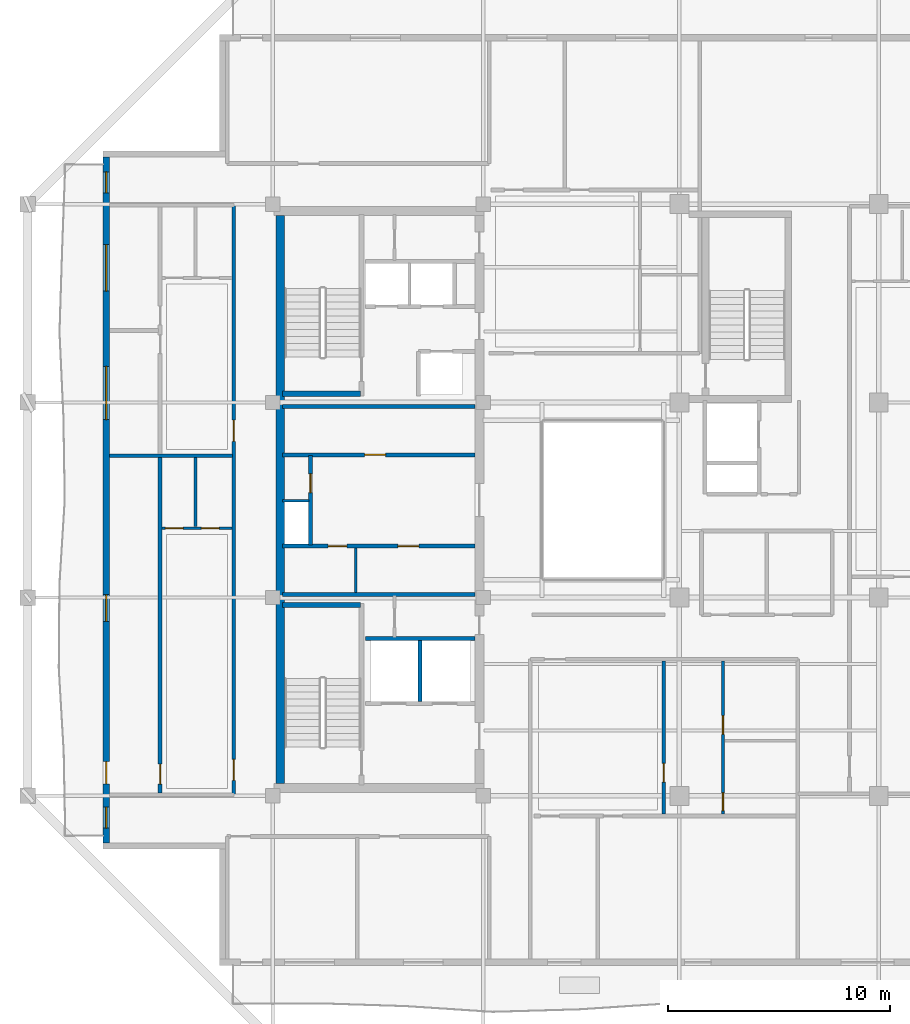
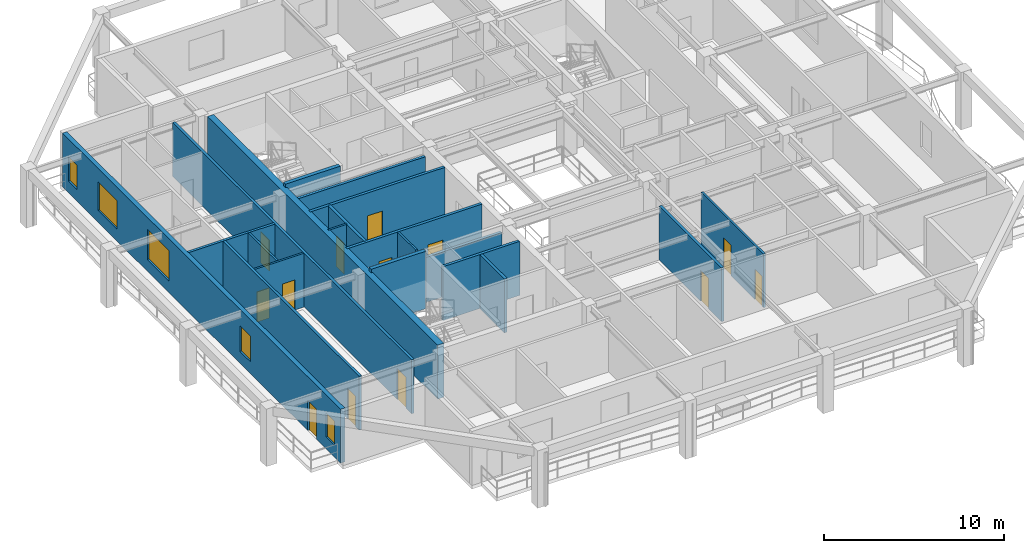
# One storey, part 3 of 11: 20 walls, 13 doors, 5 windows, 18 openings.
"""IFC4 building model written with IfcOpenShell, lengths in metres."""

from ifc_helpers import new_model, si_unit, direction, frame, frame_2d, origin, place, context, subcontext, project, spatial, rectangle, extrude, material, layer, layer_set, type_object, element, fill, save


model = new_model("IFC4")

# Units and contexts
model_context = context("Model", 3, precision=1e-05, world=origin(), true_north=direction((0.0, 1.0)))
body_context = subcontext(model_context, "Body", "Model", "MODEL_VIEW")
ifc_project = project(units=[si_unit("LENGTHUNIT", "METRE"), si_unit("AREAUNIT", "SQUARE_METRE"), si_unit("VOLUMEUNIT", "CUBIC_METRE"), si_unit("PLANEANGLEUNIT", "RADIAN"), si_unit("MASSUNIT", "GRAM", prefix="KILO")], contexts=[model_context])

# Site, building, storey
site_placement = place(None, origin())
site = spatial("IfcSite", under=ifc_project, at=site_placement, CompositionType="ELEMENT")
building_placement = place(site_placement, origin())
building = spatial("IfcBuilding", under=site, at=building_placement, Name="Kundavana Baori Tower", CompositionType="ELEMENT")
storey_placement = place(building_placement, frame((0.0, 0.0, 253.10009765625)))
storey = spatial("IfcBuildingStorey", under=building, at=storey_placement, Name="L62", CompositionType="ELEMENT", Elevation=253.10009765625)

# Walls
ifc_material_1 = material(Name="Concrete C50/60", Category="concrete")
ifc_layer_1 = layer(ifc_material_1, 0.39990234375, Name="WL-CORE-400")
ifc_layer_set_1 = layer_set([ifc_layer_1], Name="Concrete C50/60")
wall_type_1 = type_object("IfcWallType", Name="WL-CORE-400", PredefinedType="SHEAR", material=ifc_layer_set_1)
wall_1_placement = place(storey_placement, frame((15.7900390625, 15.81005859375, 0.0), z_axis=(0.0, 0.0, 1.0), x_axis=(0.0, 1.0, 0.0)))
element("IfcWall", 1, at=wall_1_placement, inside=storey, type_object=wall_type_1, Name="L62 Offset Core West Shear Wall", PredefinedType="SHEAR", context=body_context, shape_type="SweptSolid", body=[
    extrude(rectangle(XDim=25.6298828125, YDim=0.39990234375, at=frame_2d((12.81494140625, 0.0))), origin(), (0.0, 0.0, 1.0), 3.659912109375),
])
for number, where, z_axis, x_axis, name in (
    (2, (15.89990234375, 23.860107421875, 0.0), (0.0, 0.0, 1.0), (1.0, 0.0, 0.0), "WL-L62-ST1-N"),
    (3, (15.89990234375, 33.389892578125, 0.0), (0.0, 0.0, 1.0), (1.0, 0.0, 0.0), "WL-L62-ST2-S"),
):
    element("IfcWall", number, at=place(storey_placement, frame(where, z_axis=z_axis, x_axis=x_axis)), inside=storey, type_object=wall_type_1, Name=name, PredefinedType="SHEAR", context=body_context, shape_type="SweptSolid", body=[
        extrude(rectangle(XDim=3.52001953125, YDim=0.239990234375, at=frame_2d((1.760009765625, 0.0))), origin(), (0.0, 0.0, 1.0), 3.89990234375),
    ])

# Wall, openings, door, windows
ifc_material_2 = material(Name="Red-Buff Dholpur Sandstone Cladding on Concrete C40/50", Category="masonry")
ifc_layer_2 = layer(ifc_material_2, 0.280029296875, Name="WL-EXT-SAND-280")
ifc_layer_set_2 = layer_set([ifc_layer_2], Name="Red-Buff Dholpur Sandstone Cladding on Concrete C40/50")
wall_type_2 = type_object("IfcWallType", Name="WL-EXT-SAND-280", PredefinedType="STANDARD", material=ifc_layer_set_2)
wall_2_placement = place(storey_placement, frame((7.93994140625, 44.070068359375, 0.0), z_axis=(0.0, 0.0, 1.0), x_axis=(0.0, -1.0, 0.0)))
wall_2 = element("IfcWall", 4, at=wall_2_placement, inside=storey, type_object=wall_type_2, Name="L62 Exterior Insulated Facade Wall 10", PredefinedType="STANDARD", context=body_context, shape_type="SweptSolid", body=[
    extrude(rectangle(XDim=30.940185546875, YDim=0.280029296875, at=frame_2d((15.47021484375, 0.0))), origin(), (0.0, 0.0, 1.0), 3.659912109375),
])
opening_1_placement = place(wall_2_placement, frame((29.324951171875, 0.0, 0.800048828125)))
opening_1 = element("IfcOpeningElement", 5, at=opening_1_placement, cuts=wall_2, Name="Opening W-13", PredefinedType="OPENING", context=body_context, shape_type="SweptSolid", body=[
    extrude(rectangle(XDim=0.949951171875, YDim=1.64990234375, at=frame_2d((0.47509765625, 0.824951171875))), frame((0.0, 0.14990234375, 0.0), z_axis=(0.0, -1.0, 0.0), x_axis=(1.0, 0.0, 0.0)), (0.0, 0.0, 1.0), 0.300048828125),
])
opening_2_placement = place(wall_2_placement, frame((27.280029296875, 0.0, 0.0)))
opening_2 = element("IfcOpeningElement", 6, at=opening_2_placement, cuts=wall_2, Name="Opening BD-1", PredefinedType="OPENING", context=body_context, shape_type="SweptSolid", body=[
    extrude(rectangle(XDim=1.0, YDim=2.050048828125, at=frame_2d((0.5, 1.02490234375))), frame((0.0, 0.14990234375, 0.0), z_axis=(0.0, -1.0, 0.0), x_axis=(1.0, 0.0, 0.0)), (0.0, 0.0, 1.0), 0.300048828125),
])
opening_3_placement = place(wall_2_placement, frame((19.7451171875, 0.0, 0.800048828125)))
opening_3 = element("IfcOpeningElement", 7, at=opening_3_placement, cuts=wall_2, Name="Opening W-03", PredefinedType="OPENING", context=body_context, shape_type="SweptSolid", body=[
    extrude(rectangle(XDim=1.199951171875, YDim=1.75, at=frame_2d((0.60009765625, 0.875))), frame((0.0, 0.14990234375, 0.0), z_axis=(0.0, -1.0, 0.0), x_axis=(1.0, 0.0, 0.0)), (0.0, 0.0, 1.0), 0.300048828125),
])
opening_4_placement = place(wall_2_placement, frame((9.445068359375, 0.0, 0.800048828125)))
opening_4 = element("IfcOpeningElement", 8, at=opening_4_placement, cuts=wall_2, Name="Opening W-04", PredefinedType="OPENING", context=body_context, shape_type="SweptSolid", body=[
    extrude(rectangle(XDim=2.39990234375, YDim=2.050048828125, at=frame_2d((1.199951171875, 1.02490234375))), frame((0.0, 0.14990234375, 0.0), z_axis=(0.0, -1.0, 0.0), x_axis=(1.0, 0.0, 0.0)), (0.0, 0.0, 1.0), 0.300048828125),
])
opening_5_placement = place(wall_2_placement, frame((3.945068359375, 0.0, 0.800048828125)))
opening_5 = element("IfcOpeningElement", 9, at=opening_5_placement, cuts=wall_2, Name="Opening W-05", PredefinedType="OPENING", context=body_context, shape_type="SweptSolid", body=[
    extrude(rectangle(XDim=2.10009765625, YDim=1.949951171875, at=frame_2d((1.050048828125, 0.97509765625))), frame((0.0, 0.14990234375, 0.0), z_axis=(0.0, -1.0, 0.0), x_axis=(1.0, 0.0, 0.0)), (0.0, 0.0, 1.0), 0.300048828125),
])
opening_6_placement = place(wall_2_placement, frame((0.6650390625, 0.0, 0.800048828125)))
opening_6 = element("IfcOpeningElement", 10, at=opening_6_placement, cuts=wall_2, Name="Opening W-13", PredefinedType="OPENING", context=body_context, shape_type="SweptSolid", body=[
    extrude(rectangle(XDim=0.949951171875, YDim=1.64990234375, at=frame_2d((0.47509765625, 0.824951171875))), frame((0.0, 0.14990234375, 0.0), z_axis=(0.0, -1.0, 0.0), x_axis=(1.0, 0.0, 0.0)), (0.0, 0.0, 1.0), 0.300048828125),
])
ifc_material_3 = material(Name="Architectural Patinated Bronze Metalwork")
door_type_1 = type_object("IfcDoorType", Name="DR-EXT-LOG-1000", OperationType="NOTDEFINED", PredefinedType="DOOR", material=ifc_material_3)
door_1_placement = place(opening_2_placement, frame((1.0, 0.0, 0.0), z_axis=(0.0, 0.0, 1.0), x_axis=(-1.0, 0.0, 0.0)))
door_1 = element("IfcDoor", 11, at=door_1_placement, inside=storey, type_object=door_type_1, Name="L62 Loggia Balcony Access Door W", OperationType="SINGLE_SWING_LEFT", OverallHeight=2.050048828125, OverallWidth=1.0, PredefinedType="DOOR", context=body_context, shape_type="SweptSolid", body=[
    extrude(rectangle(XDim=1.0, YDim=2.050048828125, at=frame_2d((0.5, 1.02490234375))), frame((0.0, 0.02490234375, 0.0), z_axis=(0.0, -1.0, 0.0), x_axis=(1.0, 0.0, 0.0)), (0.0, 0.0, 1.0), 0.050048828125),
])
fill(opening_2, door_1)
ifc_material_4 = material(Name="Double-Glazed Solar-Control Low-E Insulated Glass", Category="glass")
window_type_1 = type_object("IfcWindowType", Name="WIN-LOG-1200x1750", PartitioningType="SINGLE_PANEL", PredefinedType="WINDOW", material=ifc_material_4)
window_1_placement = place(opening_3_placement, origin())
window_1 = element("IfcWindow", 12, at=window_1_placement, inside=storey, type_object=window_type_1, Name="L62 Recessed Loggia Window W-2", OverallHeight=1.75, OverallWidth=1.199951171875, PartitioningType="SINGLE_PANEL", PredefinedType="WINDOW", context=body_context, shape_type="SweptSolid", body=[
    extrude(rectangle(XDim=1.199951171875, YDim=1.75, at=frame_2d((0.60009765625, 0.875))), frame((0.0, 0.030029296875, 0.0), z_axis=(0.0, -1.0, 0.0), x_axis=(1.0, 0.0, 0.0)), (0.0, 0.0, 1.0), 0.06005859375),
])
fill(opening_3, window_1)
ifc_material_5 = material(Name="Double-Glazed Solar-Control Low-E Insulated Glass", Category="glass")
window_type_2 = type_object("IfcWindowType", Name="WIN-LOG-2100x1950", PartitioningType="SINGLE_PANEL", PredefinedType="WINDOW", material=ifc_material_5)
window_2_placement = place(opening_5_placement, origin())
window_2 = element("IfcWindow", 13, at=window_2_placement, inside=storey, type_object=window_type_2, Name="L62 Recessed Loggia Window W-4", OverallHeight=1.949951171875, OverallWidth=2.10009765625, PartitioningType="SINGLE_PANEL", PredefinedType="WINDOW", context=body_context, shape_type="SweptSolid", body=[
    extrude(rectangle(XDim=2.10009765625, YDim=1.949951171875, at=frame_2d((1.050048828125, 0.97509765625))), frame((0.0, 0.030029296875, 0.0), z_axis=(0.0, -1.0, 0.0), x_axis=(1.0, 0.0, 0.0)), (0.0, 0.0, 1.0), 0.06005859375),
])
fill(opening_5, window_2)
ifc_material_6 = material(Name="Double-Glazed Solar-Control Low-E Insulated Glass", Category="glass")
window_type_3 = type_object("IfcWindowType", Name="WIN-LOG-2400x2050", PartitioningType="SINGLE_PANEL", PredefinedType="WINDOW", material=ifc_material_6)
window_3_placement = place(opening_4_placement, origin())
window_3 = element("IfcWindow", 14, at=window_3_placement, inside=storey, type_object=window_type_3, Name="L62 Recessed Loggia Window W-3", OverallHeight=2.050048828125, OverallWidth=2.39990234375, PartitioningType="SINGLE_PANEL", PredefinedType="WINDOW", context=body_context, shape_type="SweptSolid", body=[
    extrude(rectangle(XDim=2.39990234375, YDim=2.050048828125, at=frame_2d((1.199951171875, 1.02490234375))), frame((0.0, 0.030029296875, 0.0), z_axis=(0.0, -1.0, 0.0), x_axis=(1.0, 0.0, 0.0)), (0.0, 0.0, 1.0), 0.06005859375),
])
fill(opening_4, window_3)
ifc_material_7 = material(Name="Double-Glazed Solar-Control Low-E Insulated Glass", Category="glass")
window_type_4 = type_object("IfcWindowType", Name="WIN-LOG-950x1650", PartitioningType="SINGLE_PANEL", PredefinedType="WINDOW", material=ifc_material_7)
window_4_placement = place(opening_1_placement, origin())
window_4 = element("IfcWindow", 15, at=window_4_placement, inside=storey, type_object=window_type_4, Name="L62 Recessed Loggia Window W-1", OverallHeight=1.64990234375, OverallWidth=0.949951171875, PartitioningType="SINGLE_PANEL", PredefinedType="WINDOW", context=body_context, shape_type="SweptSolid", body=[
    extrude(rectangle(XDim=0.949951171875, YDim=1.64990234375, at=frame_2d((0.47509765625, 0.824951171875))), frame((0.0, 0.030029296875, 0.0), z_axis=(0.0, -1.0, 0.0), x_axis=(1.0, 0.0, 0.0)), (0.0, 0.0, 1.0), 0.06005859375),
])
fill(opening_1, window_4)
window_5_placement = place(opening_6_placement, origin())
window_5 = element("IfcWindow", 16, at=window_5_placement, inside=storey, type_object=window_type_4, Name="L62 Recessed Loggia Window W-5", OverallHeight=1.64990234375, OverallWidth=0.949951171875, PartitioningType="SINGLE_PANEL", PredefinedType="WINDOW", context=body_context, shape_type="SweptSolid", body=[
    extrude(rectangle(XDim=0.949951171875, YDim=1.64990234375, at=frame_2d((0.47509765625, 0.824951171875))), frame((0.0, 0.030029296875, 0.0), z_axis=(0.0, -1.0, 0.0), x_axis=(1.0, 0.0, 0.0)), (0.0, 0.0, 1.0), 0.06005859375),
])
fill(opening_6, window_5)

# Walls
ifc_material_8 = material(Name="Acoustic Gypsum Plasterboard on Galvanised Steel Studs", Category="steel")
ifc_layer_3 = layer(ifc_material_8, 0.1201171875, Name="WL-PART-120")
ifc_layer_set_3 = layer_set([ifc_layer_3], Name="Acoustic Gypsum Plasterboard on Galvanised Steel Studs")
wall_type_3 = type_object("IfcWallType", Name="WL-PART-120", PredefinedType="PARTITIONING", material=ifc_layer_set_3)
wall_3_placement = place(storey_placement, frame((19.199951171875, 24.419921875, 0.0), z_axis=(0.0, 0.0, 1.0), x_axis=(0.0, 1.0, 0.0)))
element("IfcWall", 17, at=wall_3_placement, inside=storey, type_object=wall_type_3, Name="WL-L62-FRLOW-DIV", PredefinedType="PARTITIONING", context=body_context, shape_type="SweptSolid", body=[
    extrude(rectangle(XDim=2.02001953125, YDim=0.1201171875, at=frame_2d((1.010009765625, 0.0))), origin(), (0.0, 0.0, 1.0), 3.659912109375),
])
wall_4_placement = place(storey_placement, frame((15.89990234375, 28.56005859375, 0.0), z_axis=(0.0, 0.0, 1.0), x_axis=(1.0, 0.0, 0.0)))
element("IfcWall", 18, at=wall_4_placement, inside=storey, type_object=wall_type_3, Name="WL-L62-RSRW-N", PredefinedType="PARTITIONING", context=body_context, shape_type="SweptSolid", body=[
    extrude(rectangle(XDim=1.2001953125, YDim=0.1201171875, at=frame_2d((0.60009765625, 0.0))), origin(), (0.0, 0.0, 1.0), 3.659912109375),
])

# Wall, openings, doors
ifc_material_9 = material(Name="Fire-Rated Gypsum Drywall on Galvanised Steel Studs", Category="steel")
ifc_layer_4 = layer(ifc_material_9, 0.1650390625, Name="WL-PART-165")
ifc_layer_set_4 = layer_set([ifc_layer_4], Name="Fire-Rated Gypsum Drywall on Galvanised Steel Studs")
wall_type_4 = type_object("IfcWallType", Name="WL-PART-165", PredefinedType="PARTITIONING", material=ifc_layer_set_4)
wall_5_placement = place(storey_placement, frame((13.699951171875, 15.300048828125, 0.0), z_axis=(0.0, 0.0, 1.0), x_axis=(0.0, 1.0, 0.0)))
wall_5 = element("IfcWall", 19, at=wall_5_placement, inside=storey, type_object=wall_type_4, Name="WL-L62-RW", PredefinedType="PARTITIONING", context=body_context, shape_type="SweptSolid", body=[
    extrude(rectangle(XDim=26.599853515625, YDim=0.1650390625, at=frame_2d((13.2998046875, 0.0))), origin(), (0.0, 0.0, 1.0), 3.659912109375),
])
opening_7_placement = place(wall_5_placement, frame((0.64990234375, 0.0, 0.0)))
opening_7 = element("IfcOpeningElement", 20, at=opening_7_placement, cuts=wall_5, Name="Opening FD-095", PredefinedType="OPENING", context=body_context, shape_type="SweptSolid", body=[
    extrude(rectangle(XDim=0.949951171875, YDim=2.10009765625, at=frame_2d((0.47509765625, 1.050048828125))), frame((0.0, 0.092529296875, 0.0), z_axis=(0.0, -1.0, 0.0), x_axis=(1.0, 0.0, 0.0)), (0.0, 0.0, 1.0), 0.18505859375),
])
opening_8_placement = place(wall_5_placement, frame((15.949951171875, 0.0, 0.0)))
opening_8 = element("IfcOpeningElement", 21, at=opening_8_placement, cuts=wall_5, Name="Opening FD-095", PredefinedType="OPENING", context=body_context, shape_type="SweptSolid", body=[
    extrude(rectangle(XDim=0.949951171875, YDim=2.10009765625, at=frame_2d((0.47509765625, 1.050048828125))), frame((0.0, 0.092529296875, 0.0), z_axis=(0.0, -1.0, 0.0), x_axis=(1.0, 0.0, 0.0)), (0.0, 0.0, 1.0), 0.18505859375),
])
ifc_material_10 = material(Name="Engineered Teak Fire-Rated Timber Door Leaf", Category="wood")
door_type_2 = type_object("IfcDoorType", Name="DR-FD60-950", OperationType="NOTDEFINED", PredefinedType="DOOR", material=ifc_material_10)
door_2_placement = place(opening_7_placement, frame((0.949951171875, 0.0, 0.0), z_axis=(0.0, 0.0, 1.0), x_axis=(-1.0, 0.0, 0.0)))
door_2 = element("IfcDoor", 22, at=door_2_placement, inside=storey, type_object=door_type_2, Name="DR-L62-W1-ENT", OperationType="SINGLE_SWING_LEFT", OverallHeight=2.10009765625, OverallWidth=0.949951171875, PredefinedType="DOOR", context=body_context, shape_type="SweptSolid", body=[
    extrude(rectangle(XDim=0.949951171875, YDim=2.10009765625, at=frame_2d((0.47509765625, 1.050048828125))), frame((0.0, 0.02490234375, 0.0), z_axis=(0.0, -1.0, 0.0), x_axis=(1.0, 0.0, 0.0)), (0.0, 0.0, 1.0), 0.050048828125),
])
fill(opening_7, door_2)
door_3_placement = place(opening_8_placement, frame((0.949951171875, 0.0, 0.0), z_axis=(0.0, 0.0, 1.0), x_axis=(-1.0, 0.0, 0.0)))
door_3 = element("IfcDoor", 23, at=door_3_placement, inside=storey, type_object=door_type_2, Name="DR-L62-W2-ENT", OperationType="SINGLE_SWING_LEFT", OverallHeight=2.10009765625, OverallWidth=0.949951171875, PredefinedType="DOOR", context=body_context, shape_type="SweptSolid", body=[
    extrude(rectangle(XDim=0.949951171875, YDim=2.10009765625, at=frame_2d((0.47509765625, 1.050048828125))), frame((0.0, 0.02490234375, 0.0), z_axis=(0.0, -1.0, 0.0), x_axis=(1.0, 0.0, 0.0)), (0.0, 0.0, 1.0), 0.050048828125),
])
fill(opening_8, door_3)

# Wall, opening, door
wall_6_placement = place(storey_placement, frame((10.3701171875, 15.3798828125, 0.0), z_axis=(0.0, 0.0, 1.0), x_axis=(0.0, 1.0, 0.0)))
wall_6 = element("IfcWall", 24, at=wall_6_placement, inside=storey, type_object=wall_type_4, Name="WL-L62-W1-VT", PredefinedType="PARTITIONING", context=body_context, shape_type="SweptSolid", body=[
    extrude(rectangle(XDim=15.14013671875, YDim=0.1650390625, at=frame_2d((7.570068359375, 0.0))), origin(), (0.0, 0.0, 1.0), 3.659912109375),
])
opening_9_placement = place(wall_6_placement, frame((0.39990234375, 0.0, 0.0)))
opening_9 = element("IfcOpeningElement", 25, at=opening_9_placement, cuts=wall_6, Name="Opening ID-090", PredefinedType="OPENING", context=body_context, shape_type="SweptSolid", body=[
    extrude(rectangle(XDim=0.89990234375, YDim=2.080078125, at=frame_2d((0.449951171875, 1.0400390625))), frame((0.0, 0.092529296875, 0.0), z_axis=(0.0, -1.0, 0.0), x_axis=(1.0, 0.0, 0.0)), (0.0, 0.0, 1.0), 0.18505859375),
])
ifc_material_11 = material(Name="Engineered Teak Solid-Core Timber Veneer", Category="wood")
door_type_3 = type_object("IfcDoorType", Name="DR-INT-900", OperationType="NOTDEFINED", PredefinedType="DOOR", material=ifc_material_11)
door_4_placement = place(opening_9_placement, frame((0.89990234375, 0.0, 0.0), z_axis=(0.0, 0.0, 1.0), x_axis=(-1.0, 0.0, 0.0)))
door_4 = element("IfcDoor", 26, at=door_4_placement, inside=storey, type_object=door_type_3, Name="DR-L62-W1-B1", OperationType="SINGLE_SWING_LEFT", OverallHeight=2.080078125, OverallWidth=0.89990234375, PredefinedType="DOOR", context=body_context, shape_type="SweptSolid", body=[
    extrude(rectangle(XDim=0.89990234375, YDim=2.080078125, at=frame_2d((0.449951171875, 1.0400390625))), frame((0.0, 0.02490234375, 0.0), z_axis=(0.0, -1.0, 0.0), x_axis=(1.0, 0.0, 0.0)), (0.0, 0.0, 1.0), 0.050048828125),
])
fill(opening_9, door_4)

# Wall
wall_7_placement = place(storey_placement, frame((8.080078125, 30.60009765625, 0.0), z_axis=(0.0, 0.0, 1.0), x_axis=(1.0, 0.0, 0.0)))
element("IfcWall", 27, at=wall_7_placement, inside=storey, type_object=wall_type_4, Name="WL-L62-RWD1", PredefinedType="PARTITIONING", context=body_context, shape_type="SweptSolid", body=[
    extrude(rectangle(XDim=5.559814453125, YDim=0.1650390625, at=frame_2d((2.77978515625, 0.0))), origin(), (0.0, 0.0, 1.0), 3.659912109375),
])

# Wall, opening, door
wall_8_placement = place(storey_placement, frame((33.090087890625, 14.4208984375, 0.0), z_axis=(0.0, 0.0, 1.0), x_axis=(0.0, 1.0, 0.0)))
wall_8 = element("IfcWall", 28, at=wall_8_placement, inside=storey, type_object=wall_type_4, Name="WL-L62-S1-STU", PredefinedType="PARTITIONING", context=body_context, shape_type="SweptSolid", body=[
    extrude(rectangle(XDim=6.919189453125, YDim=0.1650390625, at=frame_2d((3.45947265625, 0.0))), origin(), (0.0, 0.0, 1.0), 3.659912109375),
])
opening_10_placement = place(wall_8_placement, frame((1.449951171875, 0.0, 0.0)))
opening_10 = element("IfcOpeningElement", 29, at=opening_10_placement, cuts=wall_8, Name="Opening ID-085", PredefinedType="OPENING", context=body_context, shape_type="SweptSolid", body=[
    extrude(rectangle(XDim=0.85009765625, YDim=2.080078125, at=frame_2d((0.425048828125, 1.0400390625))), frame((0.0, 0.092529296875, 0.0), z_axis=(0.0, -1.0, 0.0), x_axis=(1.0, 0.0, 0.0)), (0.0, 0.0, 1.0), 0.18505859375),
])
ifc_material_12 = material(Name="Engineered Teak Solid-Core Timber Veneer", Category="wood")
door_type_4 = type_object("IfcDoorType", Name="DR-INT-850", OperationType="NOTDEFINED", PredefinedType="DOOR", material=ifc_material_12)
door_5_placement = place(opening_10_placement, origin())
door_5 = element("IfcDoor", 30, at=door_5_placement, inside=storey, type_object=door_type_4, Name="DR-L62-S1-STD", OperationType="SINGLE_SWING_LEFT", OverallHeight=2.080078125, OverallWidth=0.85009765625, PredefinedType="DOOR", context=body_context, shape_type="SweptSolid", body=[
    extrude(rectangle(XDim=0.85009765625, YDim=2.080078125, at=frame_2d((0.425048828125, 1.0400390625))), frame((0.0, 0.02490234375, 0.0), z_axis=(0.0, -1.0, 0.0), x_axis=(1.0, 0.0, 0.0)), (0.0, 0.0, 1.0), 0.050048828125),
])
fill(opening_10, door_5)

# Walls
ifc_material_13 = material(Name="Autoclaved Aerated Concrete Blockwork Masonry", Category="masonry")
ifc_layer_5 = layer(ifc_material_13, 0.179931640625, Name="WL-SHAFT-180")
ifc_layer_set_5 = layer_set([ifc_layer_5], Name="Autoclaved Aerated Concrete Blockwork Masonry")
wall_type_5 = type_object("IfcWallType", Name="WL-SHAFT-180", PredefinedType="SOLIDWALL", material=ifc_layer_set_5)
wall_9_placement = place(storey_placement, frame((22.10009765625, 19.510009765625, 0.0), z_axis=(0.0, 0.0, 1.0), x_axis=(0.0, 1.0, 0.0)))
element("IfcWall", 31, at=wall_9_placement, inside=storey, type_object=wall_type_5, Name="WL-L62-FFL-MID", PredefinedType="SOLIDWALL", context=body_context, shape_type="SweptSolid", body=[
    extrude(rectangle(XDim=2.739990234375, YDim=0.179931640625, at=frame_2d((1.3701171875, 0.0))), origin(), (0.0, 0.0, 1.0), 3.659912109375),
])
wall_10_placement = place(storey_placement, frame((19.639892578125, 22.340087890625, 0.0), z_axis=(0.0, 0.0, 1.0), x_axis=(1.0, 0.0, 0.0)))
element("IfcWall", 32, at=wall_10_placement, inside=storey, type_object=wall_type_5, Name="WL-L62-FFL-N", PredefinedType="SOLIDWALL", context=body_context, shape_type="SweptSolid", body=[
    extrude(rectangle(XDim=4.940185546875, YDim=0.179931640625, at=frame_2d((2.47021484375, 0.0))), origin(), (0.0, 0.0, 1.0), 3.659912109375),
])

# Wall, openings, doors
wall_11_placement = place(storey_placement, frame((15.89990234375, 26.52001953125, 0.0), z_axis=(0.0, 0.0, 1.0), x_axis=(1.0, 0.0, 0.0)))
wall_11 = element("IfcWall", 33, at=wall_11_placement, inside=storey, type_object=wall_type_5, Name="WL-L62-LPLOW-N", PredefinedType="SOLIDWALL", context=body_context, shape_type="SweptSolid", body=[
    extrude(rectangle(XDim=8.68017578125, YDim=0.179931640625, at=frame_2d((4.340087890625, 0.0))), origin(), (0.0, 0.0, 1.0), 3.659912109375),
])
opening_11_placement = place(wall_11_placement, frame((2.050048828125, 0.0, 0.0)))
opening_11 = element("IfcOpeningElement", 34, at=opening_11_placement, cuts=wall_11, Name="Opening FD-085", PredefinedType="OPENING", context=body_context, shape_type="SweptSolid", body=[
    extrude(rectangle(XDim=0.85009765625, YDim=2.06005859375, at=frame_2d((0.425048828125, 1.030029296875))), frame((0.0, 0.10009765625, 0.0), z_axis=(0.0, -1.0, 0.0), x_axis=(1.0, 0.0, 0.0)), (0.0, 0.0, 1.0), 0.199951171875),
])
opening_12_placement = place(wall_11_placement, frame((5.199951171875, 0.0, 0.0)))
opening_12 = element("IfcOpeningElement", 35, at=opening_12_placement, cuts=wall_11, Name="Opening FD-095", PredefinedType="OPENING", context=body_context, shape_type="SweptSolid", body=[
    extrude(rectangle(XDim=0.949951171875, YDim=2.10009765625, at=frame_2d((0.47509765625, 1.050048828125))), frame((0.0, 0.10009765625, 0.0), z_axis=(0.0, -1.0, 0.0), x_axis=(1.0, 0.0, 0.0)), (0.0, 0.0, 1.0), 0.199951171875),
])
ifc_material_14 = material(Name="Galvanised Steel Fire-Rated Door Leaf", Category="steel")
door_type_5 = type_object("IfcDoorType", Name="DR-FD60-850", OperationType="NOTDEFINED", PredefinedType="DOOR", material=ifc_material_14)
door_6_placement = place(opening_11_placement, origin())
door_6 = element("IfcDoor", 36, at=door_6_placement, inside=storey, type_object=door_type_5, Name="DR-L62-FRLOW1", OperationType="SINGLE_SWING_LEFT", OverallHeight=2.06005859375, OverallWidth=0.85009765625, PredefinedType="DOOR", context=body_context, shape_type="SweptSolid", body=[
    extrude(rectangle(XDim=0.85009765625, YDim=2.06005859375, at=frame_2d((0.425048828125, 1.030029296875))), frame((0.0, 0.02490234375, 0.0), z_axis=(0.0, -1.0, 0.0), x_axis=(1.0, 0.0, 0.0)), (0.0, 0.0, 1.0), 0.050048828125),
])
fill(opening_11, door_6)
door_7_placement = place(opening_12_placement, origin())
door_7 = element("IfcDoor", 37, at=door_7_placement, inside=storey, type_object=door_type_2, Name="DR-L62-FRLOW2", OperationType="SINGLE_SWING_RIGHT", OverallHeight=2.10009765625, OverallWidth=0.949951171875, PredefinedType="DOOR", context=body_context, shape_type="SweptSolid", body=[
    extrude(rectangle(XDim=0.949951171875, YDim=2.10009765625, at=frame_2d((0.47509765625, 1.050048828125))), frame((0.0, 0.02490234375, 0.0), z_axis=(0.0, -1.0, 0.0), x_axis=(1.0, 0.0, 0.0)), (0.0, 0.0, 1.0), 0.050048828125),
])
fill(opening_12, door_7)

# Wall
wall_12_placement = place(storey_placement, frame((15.89990234375, 24.330078125, 0.0), z_axis=(0.0, 0.0, 1.0), x_axis=(1.0, 0.0, 0.0)))
element("IfcWall", 38, at=wall_12_placement, inside=storey, type_object=wall_type_5, Name="WL-L62-LPLOW-S", PredefinedType="SOLIDWALL", context=body_context, shape_type="SweptSolid", body=[
    extrude(rectangle(XDim=8.68017578125, YDim=0.179931640625, at=frame_2d((4.340087890625, 0.0))), origin(), (0.0, 0.0, 1.0), 3.059814453125),
])

# Wall, opening, door
wall_13_placement = place(storey_placement, frame((17.159912109375, 26.580078125, 0.0), z_axis=(0.0, 0.0, 1.0), x_axis=(0.0, 1.0, 0.0)))
wall_13 = element("IfcWall", 39, at=wall_13_placement, inside=storey, type_object=wall_type_5, Name="WL-L62-RSRW-E", PredefinedType="SOLIDWALL", context=body_context, shape_type="SweptSolid", body=[
    extrude(rectangle(XDim=4.02001953125, YDim=0.179931640625, at=frame_2d((2.010009765625, 0.0))), origin(), (0.0, 0.0, 1.0), 3.659912109375),
])
opening_13_placement = place(wall_13_placement, frame((2.35009765625, 0.0, 0.0)))
opening_13 = element("IfcOpeningElement", 40, at=opening_13_placement, cuts=wall_13, Name="Opening FD-085", PredefinedType="OPENING", context=body_context, shape_type="SweptSolid", body=[
    extrude(rectangle(XDim=0.85009765625, YDim=2.06005859375, at=frame_2d((0.425048828125, 1.030029296875))), frame((0.0, 0.10009765625, 0.0), z_axis=(0.0, -1.0, 0.0), x_axis=(1.0, 0.0, 0.0)), (0.0, 0.0, 1.0), 0.199951171875),
])
door_8_placement = place(opening_13_placement, origin())
door_8 = element("IfcDoor", 41, at=door_8_placement, inside=storey, type_object=door_type_5, Name="DR-L62-CLN", OperationType="SINGLE_SWING_RIGHT", OverallHeight=2.06005859375, OverallWidth=0.85009765625, PredefinedType="DOOR", context=body_context, shape_type="SweptSolid", body=[
    extrude(rectangle(XDim=0.85009765625, YDim=2.06005859375, at=frame_2d((0.425048828125, 1.030029296875))), frame((0.0, 0.02490234375, 0.0), z_axis=(0.0, -1.0, 0.0), x_axis=(1.0, 0.0, 0.0)), (0.0, 0.0, 1.0), 0.050048828125),
])
fill(opening_13, door_8)

wall_14_placement = place(storey_placement, frame((15.89990234375, 30.639892578125, 0.0), z_axis=(0.0, 0.0, 1.0), x_axis=(1.0, 0.0, 0.0)))
wall_14 = element("IfcWall", 42, at=wall_14_placement, inside=storey, type_object=wall_type_5, Name="WL-L62-LPMID-S", PredefinedType="SOLIDWALL", context=body_context, shape_type="SweptSolid", body=[
    extrude(rectangle(XDim=8.68017578125, YDim=0.179931640625, at=frame_2d((4.340087890625, 0.0))), origin(), (0.0, 0.0, 1.0), 3.659912109375),
])
opening_14_placement = place(wall_14_placement, frame((3.699951171875, 0.0, 0.0)))
opening_14 = element("IfcOpeningElement", 43, at=opening_14_placement, cuts=wall_14, Name="Opening FD-095", PredefinedType="OPENING", context=body_context, shape_type="SweptSolid", body=[
    extrude(rectangle(XDim=0.949951171875, YDim=2.10009765625, at=frame_2d((0.47509765625, 1.050048828125))), frame((0.0, 0.10009765625, 0.0), z_axis=(0.0, -1.0, 0.0), x_axis=(1.0, 0.0, 0.0)), (0.0, 0.0, 1.0), 0.199951171875),
])
door_9_placement = place(opening_14_placement, frame((0.949951171875, 0.0, 0.0), z_axis=(0.0, 0.0, 1.0), x_axis=(-1.0, 0.0, 0.0)))
door_9 = element("IfcDoor", 44, at=door_9_placement, inside=storey, type_object=door_type_2, Name="DR-L62-FRMID1", OperationType="SINGLE_SWING_RIGHT", OverallHeight=2.10009765625, OverallWidth=0.949951171875, PredefinedType="DOOR", context=body_context, shape_type="SweptSolid", body=[
    extrude(rectangle(XDim=0.949951171875, YDim=2.10009765625, at=frame_2d((0.47509765625, 1.050048828125))), frame((0.0, 0.02490234375, 0.0), z_axis=(0.0, -1.0, 0.0), x_axis=(1.0, 0.0, 0.0)), (0.0, 0.0, 1.0), 0.050048828125),
])
fill(opening_14, door_9)

# Wall
wall_15_placement = place(storey_placement, frame((15.89990234375, 32.820068359375, 0.0), z_axis=(0.0, 0.0, 1.0), x_axis=(1.0, 0.0, 0.0)))
element("IfcWall", 45, at=wall_15_placement, inside=storey, type_object=wall_type_5, Name="WL-L62-LPMID-N", PredefinedType="SOLIDWALL", context=body_context, shape_type="SweptSolid", body=[
    extrude(rectangle(XDim=8.68017578125, YDim=0.179931640625, at=frame_2d((4.340087890625, 0.0))), origin(), (0.0, 0.0, 1.0), 3.059814453125),
])

# Wall, openings, doors
ifc_material_15 = material(Name="Autoclaved Aerated Concrete Blockwork Masonry", Category="masonry")
ifc_layer_6 = layer(ifc_material_15, 0.125, Name="WL-WET-120")
ifc_layer_set_6 = layer_set([ifc_layer_6], Name="Autoclaved Aerated Concrete Blockwork Masonry")
wall_type_6 = type_object("IfcWallType", Name="WL-WET-120", PredefinedType="PLUMBINGWALL", material=ifc_layer_set_6)
wall_16_placement = place(storey_placement, frame((10.449951171875, 27.320068359375, 0.0), z_axis=(0.0, 0.0, 1.0), x_axis=(1.0, 0.0, 0.0)))
wall_16 = element("IfcWall", 46, at=wall_16_placement, inside=storey, type_object=wall_type_6, Name="WL-L62-W1-KH", PredefinedType="PLUMBINGWALL", context=body_context, shape_type="SweptSolid", body=[
    extrude(rectangle(XDim=3.170166015625, YDim=0.125, at=frame_2d((1.5849609375, 0.0))), origin(), (0.0, 0.0, 1.0), 3.659912109375),
])
opening_15_placement = place(wall_16_placement, frame((0.159912109375, 0.0, 0.0)))
opening_15 = element("IfcOpeningElement", 47, at=opening_15_placement, cuts=wall_16, Name="Opening WD-080", PredefinedType="OPENING", context=body_context, shape_type="SweptSolid", body=[
    extrude(rectangle(XDim=0.800048828125, YDim=2.050048828125, at=frame_2d((0.39990234375, 1.02490234375))), frame((0.0, 0.072509765625, 0.0), z_axis=(0.0, -1.0, 0.0), x_axis=(1.0, 0.0, 0.0)), (0.0, 0.0, 1.0), 0.14501953125),
])
opening_16_placement = place(wall_16_placement, frame((1.781982421875, 0.0, 0.0)))
opening_16 = element("IfcOpeningElement", 48, at=opening_16_placement, cuts=wall_16, Name="Opening WD-080", PredefinedType="OPENING", context=body_context, shape_type="SweptSolid", body=[
    extrude(rectangle(XDim=0.800048828125, YDim=2.050048828125, at=frame_2d((0.39990234375, 1.02490234375))), frame((0.0, 0.072509765625, 0.0), z_axis=(0.0, -1.0, 0.0), x_axis=(1.0, 0.0, 0.0)), (0.0, 0.0, 1.0), 0.14501953125),
])
ifc_material_16 = material(Name="Engineered Teak Solid-Core Timber Veneer", Category="wood")
door_type_6 = type_object("IfcDoorType", Name="DR-WET-800", OperationType="NOTDEFINED", PredefinedType="DOOR", material=ifc_material_16)
door_10_placement = place(opening_15_placement, origin())
door_10 = element("IfcDoor", 49, at=door_10_placement, inside=storey, type_object=door_type_6, Name="DR-L62-W1-BT", OperationType="SINGLE_SWING_LEFT", OverallHeight=2.050048828125, OverallWidth=0.800048828125, PredefinedType="DOOR", context=body_context, shape_type="SweptSolid", body=[
    extrude(rectangle(XDim=0.800048828125, YDim=2.050048828125, at=frame_2d((0.39990234375, 1.02490234375))), frame((0.0, 0.02490234375, 0.0), z_axis=(0.0, -1.0, 0.0), x_axis=(1.0, 0.0, 0.0)), (0.0, 0.0, 1.0), 0.050048828125),
])
fill(opening_15, door_10)
door_11_placement = place(opening_16_placement, origin())
door_11 = element("IfcDoor", 50, at=door_11_placement, inside=storey, type_object=door_type_6, Name="DR-L62-W1-KT", OperationType="SINGLE_SWING_RIGHT", OverallHeight=2.050048828125, OverallWidth=0.800048828125, PredefinedType="DOOR", context=body_context, shape_type="SweptSolid", body=[
    extrude(rectangle(XDim=0.800048828125, YDim=2.050048828125, at=frame_2d((0.39990234375, 1.02490234375))), frame((0.0, 0.02490234375, 0.0), z_axis=(0.0, -1.0, 0.0), x_axis=(1.0, 0.0, 0.0)), (0.0, 0.0, 1.0), 0.050048828125),
])
fill(opening_16, door_11)

# Wall
wall_17_placement = place(storey_placement, frame((11.971923828125, 27.39990234375, 0.0), z_axis=(0.0, 0.0, 1.0), x_axis=(0.0, 1.0, 0.0)))
element("IfcWall", 51, at=wall_17_placement, inside=storey, type_object=wall_type_6, Name="WL-L62-W1-BV", PredefinedType="PLUMBINGWALL", context=body_context, shape_type="SweptSolid", body=[
    extrude(rectangle(XDim=3.1201171875, YDim=0.125, at=frame_2d((1.56005859375, 0.0))), origin(), (0.0, 0.0, 1.0), 3.659912109375),
])

# Wall, openings, doors
wall_18_placement = place(storey_placement, frame((35.77001953125, 14.4208984375, 0.0), z_axis=(0.0, 0.0, 1.0), x_axis=(0.0, 1.0, 0.0)))
wall_18 = element("IfcWall", 52, at=wall_18_placement, inside=storey, type_object=wall_type_6, Name="WL-L62-S1-KT", PredefinedType="PLUMBINGWALL", context=body_context, shape_type="SweptSolid", body=[
    extrude(rectangle(XDim=6.919189453125, YDim=0.125, at=frame_2d((3.45947265625, 0.0))), origin(), (0.0, 0.0, 1.0), 3.659912109375),
])
opening_17_placement = place(wall_18_placement, frame((0.159912109375, 0.0, 0.0)))
opening_17 = element("IfcOpeningElement", 53, at=opening_17_placement, cuts=wall_18, Name="Opening WD-080", PredefinedType="OPENING", context=body_context, shape_type="SweptSolid", body=[
    extrude(rectangle(XDim=0.800048828125, YDim=2.050048828125, at=frame_2d((0.39990234375, 1.02490234375))), frame((0.0, 0.072509765625, 0.0), z_axis=(0.0, -1.0, 0.0), x_axis=(1.0, 0.0, 0.0)), (0.0, 0.0, 1.0), 0.14501953125),
])
opening_18_placement = place(wall_18_placement, frame((3.60107421875, 0.0, 0.0)))
opening_18 = element("IfcOpeningElement", 54, at=opening_18_placement, cuts=wall_18, Name="Opening ID-085", PredefinedType="OPENING", context=body_context, shape_type="SweptSolid", body=[
    extrude(rectangle(XDim=0.85009765625, YDim=2.080078125, at=frame_2d((0.425048828125, 1.0400390625))), frame((0.0, 0.072509765625, 0.0), z_axis=(0.0, -1.0, 0.0), x_axis=(1.0, 0.0, 0.0)), (0.0, 0.0, 1.0), 0.14501953125),
])
door_12_placement = place(opening_18_placement, origin())
door_12 = element("IfcDoor", 55, at=door_12_placement, inside=storey, type_object=door_type_4, Name="DR-L62-S1-KT", OperationType="SINGLE_SWING_RIGHT", OverallHeight=2.080078125, OverallWidth=0.85009765625, PredefinedType="DOOR", context=body_context, shape_type="SweptSolid", body=[
    extrude(rectangle(XDim=0.85009765625, YDim=2.080078125, at=frame_2d((0.425048828125, 1.0400390625))), frame((0.0, 0.02490234375, 0.0), z_axis=(0.0, -1.0, 0.0), x_axis=(1.0, 0.0, 0.0)), (0.0, 0.0, 1.0), 0.050048828125),
])
fill(opening_18, door_12)
door_13_placement = place(opening_17_placement, origin())
door_13 = element("IfcDoor", 56, at=door_13_placement, inside=storey, type_object=door_type_6, Name="DR-L62-S1-BT", OperationType="SINGLE_SWING_LEFT", OverallHeight=2.050048828125, OverallWidth=0.800048828125, PredefinedType="DOOR", context=body_context, shape_type="SweptSolid", body=[
    extrude(rectangle(XDim=0.800048828125, YDim=2.050048828125, at=frame_2d((0.39990234375, 1.02490234375))), frame((0.0, 0.02490234375, 0.0), z_axis=(0.0, -1.0, 0.0), x_axis=(1.0, 0.0, 0.0)), (0.0, 0.0, 1.0), 0.050048828125),
])
fill(opening_17, door_13)

save(model, "model.ifc")
